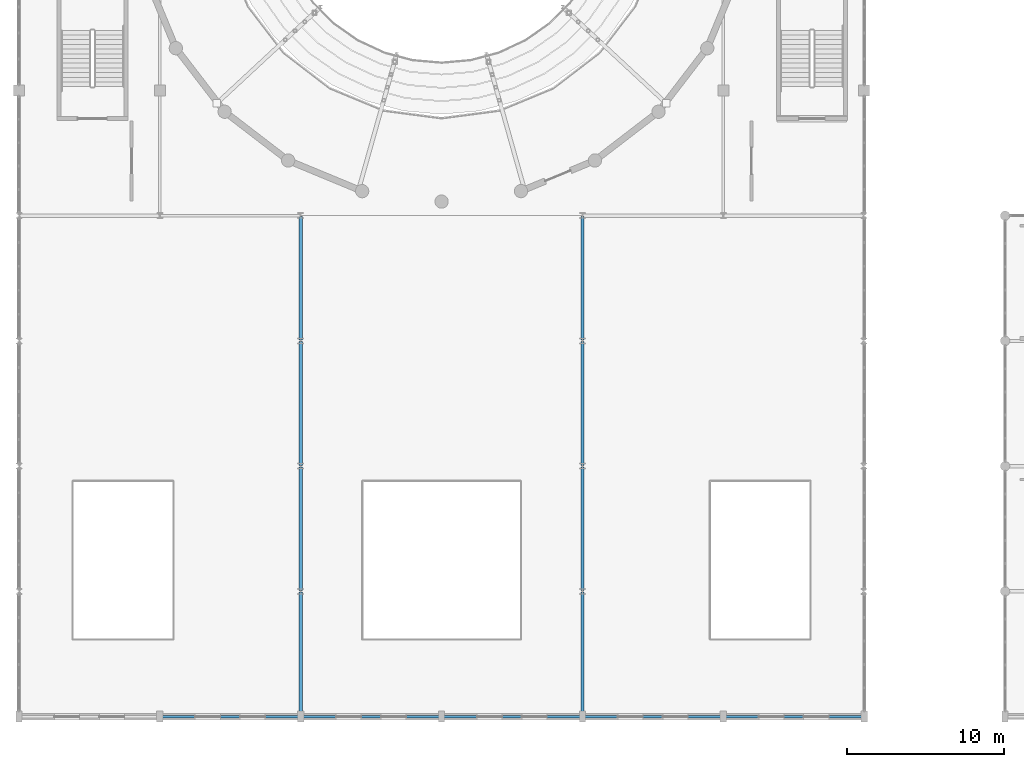
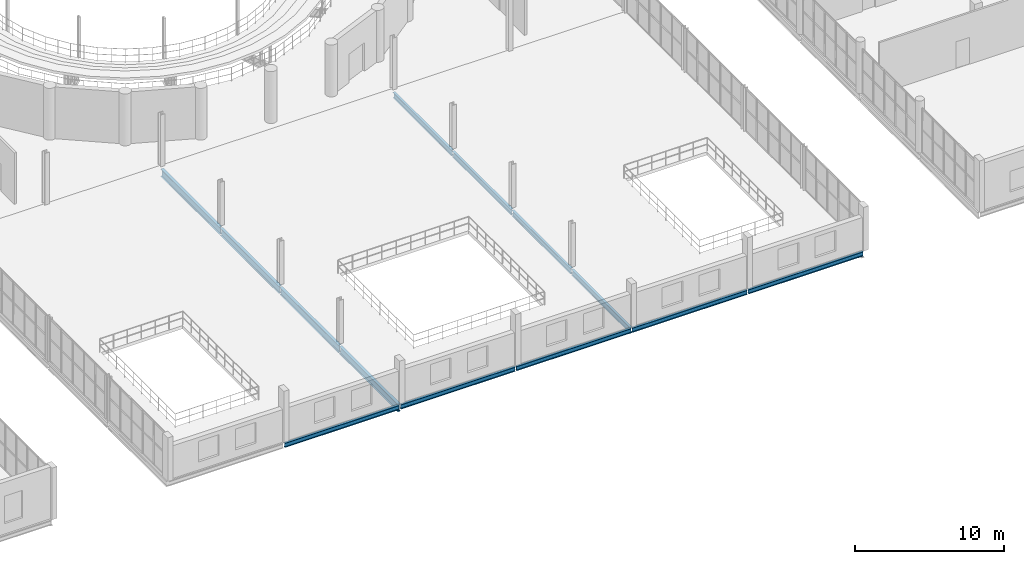
# One storey, part 23 of 73: 13 beams.
"""IFC4 building model written with IfcOpenShell, lengths in metres."""

from ifc_helpers import new_model, si_unit, direction, frame, origin, origin_2d, place, context, subcontext, project, spatial, i_section, extrude, material, material_profile, profile_set, type_object, element, save


model = new_model("IFC4")

# Units and contexts
model_context = context("Model", 3, precision=1e-05, world=origin(), true_north=direction((0.0, 1.0)))
body_context = subcontext(model_context, "Body", "Model", "MODEL_VIEW")
ifc_project = project(units=[si_unit("LENGTHUNIT", "METRE"), si_unit("AREAUNIT", "SQUARE_METRE"), si_unit("VOLUMEUNIT", "CUBIC_METRE"), si_unit("PLANEANGLEUNIT", "RADIAN"), si_unit("MASSUNIT", "GRAM", prefix="KILO")], contexts=[model_context])

# Site, building, storey
site_placement = place(None, origin())
site = spatial("IfcSite", under=ifc_project, at=site_placement, CompositionType="ELEMENT")
building_placement = place(site_placement, origin())
building = spatial("IfcBuilding", under=site, at=building_placement, Name="Marnock Terrace Opera House", CompositionType="ELEMENT")
storey_placement = place(building_placement, frame((0.0, 0.0, 14.699951171875)))
storey = spatial("IfcBuildingStorey", under=building, at=storey_placement, Name="L03", CompositionType="ELEMENT", Elevation=14.699951171875)

# Beams
ifc_material = material(Name="Steel Grade 350 (AS/NZS 3679.1)", Category="steel")
ifc_material_profile_1 = material_profile(ifc_material, i_section(OverallWidth=0.18994140625, OverallDepth=0.45751953125, WebThickness=0.009033203125, FlangeThickness=0.014404296875, FilletRadius=0.011474609375, at=origin_2d()))
ifc_profile_set_1 = profile_set([ifc_material_profile_1], Name="Steel Grade 350 (AS/NZS 3679.1)")
beam_type_1 = type_object("IfcBeamType", Name="BM-GIRD-460B", PredefinedType="BEAM", material=ifc_profile_set_1)
for number, where, z_axis, x_axis, name in (
    (1, (91.0, 8.050048828125, -0.48876953125), (0.0, 1.0, 0.0), (-1.0, 0.0, 0.0), "L03 girder (X=91.0, 8.0..16.0)"),
    (2, (91.0, 16.050048828125, -0.48876953125), (0.0, 1.0, 0.0), (-1.0, 0.0, 0.0), "L03 girder (X=91.0, 16.0..24.0)"),
    (3, (91.0, 24.050048828125, -0.48876953125), (0.0, 1.0, 0.0), (-1.0, 0.0, 0.0), "L03 girder (X=91.0, 24.0..32.0)"),
    (4, (91.0, 32.050048828125, -0.48876953125), (0.0, 1.0, 0.0), (-1.0, 0.0, 0.0), "L03 girder (X=91.0, 32.0..40.0)"),
):
    element("IfcBeam", number, at=place(storey_placement, frame(where, z_axis=z_axis, x_axis=x_axis)), inside=storey, type_object=beam_type_1, Name=name, PredefinedType="BEAM", context=body_context, shape_type="SweptSolid", body=[
        extrude(i_section(OverallWidth=0.18994140625, OverallDepth=0.45751953125, WebThickness=0.009033203125, FlangeThickness=0.014404296875, FilletRadius=0.011474609375, at=origin_2d()), origin(), (0.0, 0.0, 1.0), 7.89990234375),
    ])
ifc_material_profile_2 = material_profile(ifc_material, i_section(OverallWidth=0.22802734375, OverallDepth=0.60205078125, WebThickness=0.010498046875, FlangeThickness=0.014892578125, FilletRadius=0.013916015625, at=origin_2d()))
ifc_profile_set_2 = profile_set([ifc_material_profile_2], Name="Steel Grade 350 (AS/NZS 3679.1)")
beam_type_2 = type_object("IfcBeamType", Name="BM-GIRD-610C", PredefinedType="BEAM", material=ifc_profile_set_2)
for number, where, z_axis, x_axis, name in (
    (5, (73.0, 8.050048828125, -0.56103515625), (0.0, 1.0, 0.0), (-1.0, 0.0, 0.0), "L03 girder (X=73.0, 8.0..16.0)"),
    (6, (73.0, 16.050048828125, -0.56103515625), (0.0, 1.0, 0.0), (-1.0, 0.0, 0.0), "L03 girder (X=73.0, 16.0..24.0)"),
    (7, (73.0, 24.050048828125, -0.56103515625), (0.0, 1.0, 0.0), (-1.0, 0.0, 0.0), "L03 girder (X=73.0, 24.0..32.0)"),
    (8, (73.0, 32.050048828125, -0.56103515625), (0.0, 1.0, 0.0), (-1.0, 0.0, 0.0), "L03 girder (X=73.0, 32.0..40.0)"),
):
    element("IfcBeam", number, at=place(storey_placement, frame(where, z_axis=z_axis, x_axis=x_axis)), inside=storey, type_object=beam_type_2, Name=name, PredefinedType="BEAM", context=body_context, shape_type="SweptSolid", body=[
        extrude(i_section(OverallWidth=0.22802734375, OverallDepth=0.60205078125, WebThickness=0.010498046875, FlangeThickness=0.014892578125, FilletRadius=0.013916015625, at=origin_2d()), origin(), (0.0, 0.0, 1.0), 7.89990234375),
    ])
ifc_material_profile_3 = material_profile(ifc_material, i_section(OverallWidth=0.172119140625, OverallDepth=0.358642578125, WebThickness=0.008056640625, FlangeThickness=0.012939453125, FilletRadius=0.011474609375, at=origin_2d()))
ifc_profile_set_3 = profile_set([ifc_material_profile_3], Name="Steel Grade 350 (AS/NZS 3679.1)")
beam_type_3 = type_object("IfcBeamType", Name="BM-SPAN-360", PredefinedType="SPANDREL", material=ifc_profile_set_3)
for number, where, z_axis, x_axis, name in (
    (9, (64.050048828125, 8.0, -0.439208984375), (1.0, 0.0, 0.0), (0.0, 1.0, 0.0), "L03 girder (64.0..73.0, Y=8.0)"),
    (10, (73.050048828125, 8.0, -0.439208984375), (1.0, 0.0, 0.0), (0.0, 1.0, 0.0), "L03 girder (73.0..82.0, Y=8.0)"),
    (11, (82.050048828125, 8.0, -0.439208984375), (1.0, 0.0, 0.0), (0.0, 1.0, 0.0), "L03 girder (82.0..91.0, Y=8.0)"),
    (12, (91.050048828125, 8.0, -0.439208984375), (1.0, 0.0, 0.0), (0.0, 1.0, 0.0), "L03 girder (91.0..100.0, Y=8.0)"),
    (13, (100.050048828125, 8.0, -0.439208984375), (1.0, 0.0, 0.0), (0.0, 1.0, 0.0), "L03 girder (100.0..109.0, Y=8.0)"),
):
    element("IfcBeam", number, at=place(storey_placement, frame(where, z_axis=z_axis, x_axis=x_axis)), inside=storey, type_object=beam_type_3, Name=name, PredefinedType="SPANDREL", context=body_context, shape_type="SweptSolid", body=[
        extrude(i_section(OverallWidth=0.172119140625, OverallDepth=0.358642578125, WebThickness=0.008056640625, FlangeThickness=0.012939453125, FilletRadius=0.011474609375, at=origin_2d()), origin(), (0.0, 0.0, 1.0), 8.89990234375),
    ])

save(model, "model.ifc")
